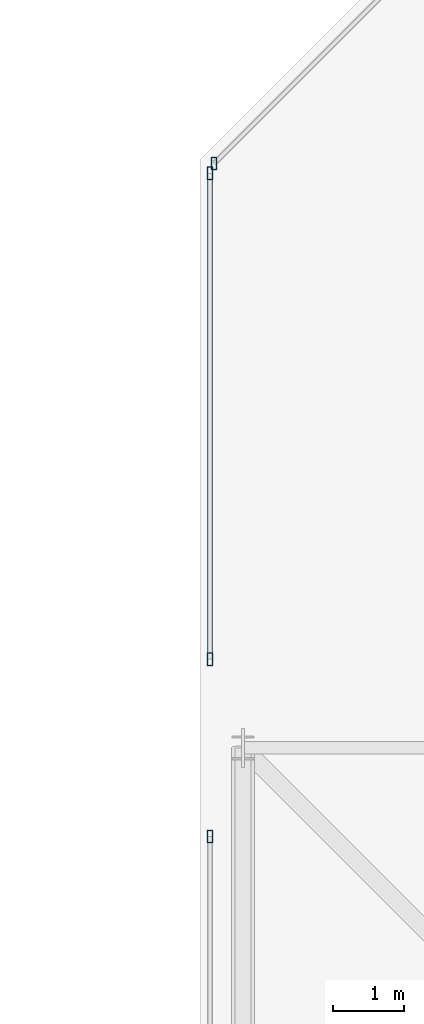
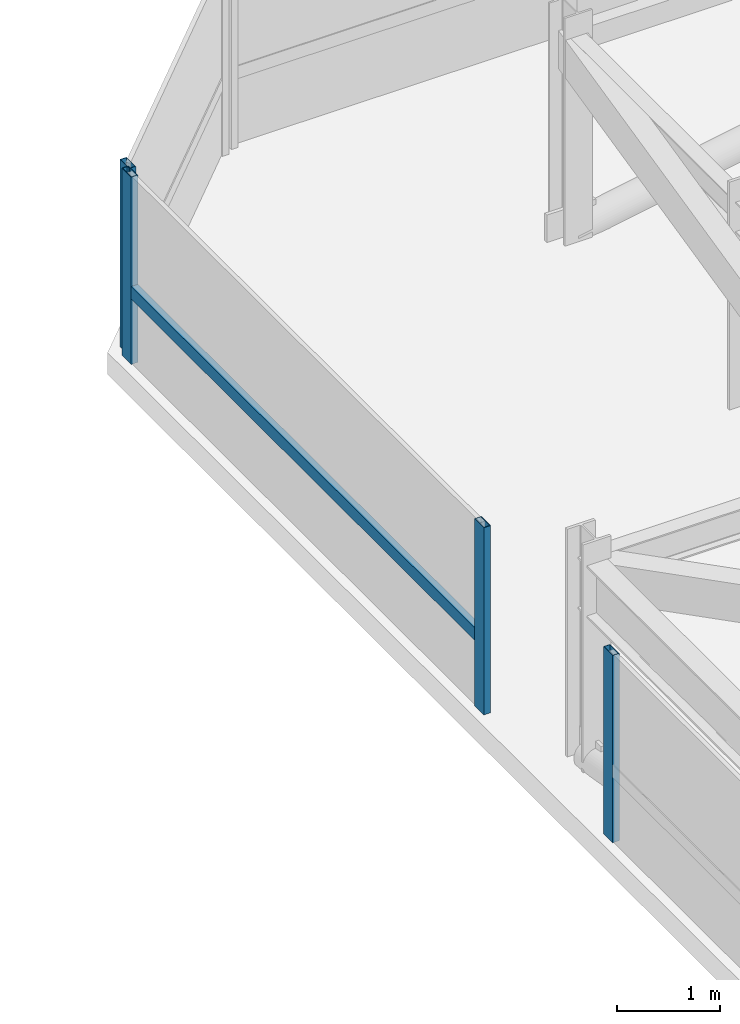
# One storey, part 26 of 42: 5 members, 3 elements without a shape of their own.
"""IFC4 building model written with IfcOpenShell, lengths in metres."""

from ifc_helpers import new_model, si_unit, direction, frame, origin, origin_2d, place, context, subcontext, project, spatial, hollow_rectangle, extrude, material, material_profile, profile_set, type_object, element, aggregate, save


model = new_model("IFC4")

# Units and contexts
model_context = context("Model", 3, precision=1e-05, world=origin(), true_north=direction((0.0, 1.0)))
body_context = subcontext(model_context, "Body", "Model", "MODEL_VIEW")
ifc_project = project(units=[si_unit("LENGTHUNIT", "METRE"), si_unit("AREAUNIT", "SQUARE_METRE"), si_unit("VOLUMEUNIT", "CUBIC_METRE"), si_unit("PLANEANGLEUNIT", "RADIAN"), si_unit("MASSUNIT", "GRAM", prefix="KILO")], contexts=[model_context])

# Site, building, storey
site_placement = place(None, origin())
site = spatial("IfcSite", under=ifc_project, at=site_placement, CompositionType="ELEMENT")
building_placement = place(site_placement, origin())
building = spatial("IfcBuilding", under=site, at=building_placement, Name="Thornwick Lancets Civic Towers", CompositionType="ELEMENT")
storey_placement = place(building_placement, frame((0.0, 0.0, 284.10009765625)))
storey = spatial("IfcBuildingStorey", under=building, at=storey_placement, Name="C02", CompositionType="ELEMENT", Elevation=284.10009765625)

# Curtain wall, member
ifc_material_1 = material(Name="Crown ring acoustic-louvre and glazing screen wall", Category="glass")
curtain_wall_type = type_object("IfcCurtainWallType", Name="CW_SYS_07", PredefinedType="NOTDEFINED", material=ifc_material_1)
curtain_wall_1_placement = place(storey_placement, origin())
curtain_wall_1 = element("IfcCurtainWall", 1, at=curtain_wall_1_placement, inside=storey, type_object=curtain_wall_type, Name="C02 Curtain Wall CW-C02-B-E5", PredefinedType="NOTDEFINED")
ifc_material_2 = material(Name="Thermally broken bronze aluminium S355", Category="steel")
ifc_material_profile_1 = material_profile(ifc_material_2, hollow_rectangle(XDim=0.074951171875, YDim=0.179931640625, WallThickness=0.006103515625, at=origin_2d()), Name="RHS 180x75x6")
ifc_profile_set_1 = profile_set([ifc_material_profile_1], Name="Thermally broken bronze aluminium S355")
member_type_1 = type_object("IfcMemberType", Name="CW_MUL_180", PredefinedType="MULLION", material=ifc_profile_set_1)
member_1_placement = place(storey_placement, frame((70.7919921875, 48.238037109375, 0.0), z_axis=(0.0, 0.0, 1.0), x_axis=(1.0, 0.0, 0.0)))
member_1 = element("IfcMember", 2, at=member_1_placement, type_object=member_type_1, Name="CW-C02-B-E5 Mullion 1", PredefinedType="MULLION", context=body_context, shape_type="SweptSolid", body=[
    extrude(hollow_rectangle(XDim=0.074951171875, YDim=0.179931640625, WallThickness=0.006103515625, at=origin_2d()), origin(), (0.0, 0.0, 1.0), 2.219970703125),
])
aggregate(curtain_wall_1, [member_1])

# Curtain wall, members
curtain_wall_2_placement = place(storey_placement, origin())
curtain_wall_2 = element("IfcCurtainWall", 3, at=curtain_wall_2_placement, inside=storey, type_object=curtain_wall_type, Name="C02 Curtain Wall CW-C02-B-E6-S1", PredefinedType="NOTDEFINED")
member_2_placement = place(storey_placement, frame((70.7353515625, 48.101318359375, 0.0), z_axis=(0.0, 0.0, 1.0), x_axis=(1.0, 0.0, 0.0)))
member_2 = element("IfcMember", 4, at=member_2_placement, type_object=member_type_1, Name="CW-C02-B-E6-S1 Mullion 0", PredefinedType="MULLION", context=body_context, shape_type="SweptSolid", body=[
    extrude(hollow_rectangle(XDim=0.074951171875, YDim=0.179931640625, WallThickness=0.006103515625, at=origin_2d()), origin(), (0.0, 0.0, 1.0), 2.219970703125),
])
member_3_placement = place(storey_placement, frame((70.7353515625, 41.25, 0.0), z_axis=(0.0, 0.0, 1.0), x_axis=(1.0, 0.0, 0.0)))
member_3 = element("IfcMember", 5, at=member_3_placement, type_object=member_type_1, Name="CW-C02-B-E6-S1 Mullion 1", PredefinedType="MULLION", context=body_context, shape_type="SweptSolid", body=[
    extrude(hollow_rectangle(XDim=0.074951171875, YDim=0.179931640625, WallThickness=0.006103515625, at=origin_2d()), origin(), (0.0, 0.0, 1.0), 2.219970703125),
])

# Curtain wall, member
curtain_wall_3_placement = place(storey_placement, origin())
curtain_wall_3 = element("IfcCurtainWall", 6, at=curtain_wall_3_placement, inside=storey, type_object=curtain_wall_type, Name="C02 Curtain Wall CW-C02-B-E6-S2", PredefinedType="NOTDEFINED")
member_4_placement = place(storey_placement, frame((70.7353515625, 38.75, 0.0), z_axis=(0.0, 0.0, 1.0), x_axis=(1.0, 0.0, 0.0)))
member_4 = element("IfcMember", 7, at=member_4_placement, type_object=member_type_1, Name="CW-C02-B-E6-S2 Mullion 0", PredefinedType="MULLION", context=body_context, shape_type="SweptSolid", body=[
    extrude(hollow_rectangle(XDim=0.074951171875, YDim=0.179931640625, WallThickness=0.006103515625, at=origin_2d()), origin(), (0.0, 0.0, 1.0), 2.219970703125),
])
aggregate(curtain_wall_3, [member_4])

# Member
ifc_material_profile_2 = material_profile(ifc_material_2, hollow_rectangle(XDim=0.074951171875, YDim=0.14990234375, WallThickness=0.0048828125, at=origin_2d()), Name="RHS 150x75x5")
ifc_profile_set_2 = profile_set([ifc_material_profile_2], Name="Thermally broken bronze aluminium S355")
member_type_2 = type_object("IfcMemberType", Name="CW_TRN_150", PredefinedType="USERDEFINED", material=ifc_profile_set_2)
member_5_placement = place(storey_placement, frame((70.7353515625, 48.081298828125, 0.849853515625), z_axis=(0.0, -1.0, 0.0), x_axis=(1.0, 0.0, 0.0)))
member_5 = element("IfcMember", 8, at=member_5_placement, type_object=member_type_2, Name="CW-C02-B-E6-S1 Transom 0", ObjectType="TRANSOM", PredefinedType="USERDEFINED", context=body_context, shape_type="SweptSolid", body=[
    extrude(hollow_rectangle(XDim=0.074951171875, YDim=0.14990234375, WallThickness=0.0048828125, at=origin_2d()), origin(), (0.0, 0.0, 1.0), 6.811279296875),
])

aggregate(curtain_wall_2, [member_2, member_3, member_5])

save(model, "model.ifc")
